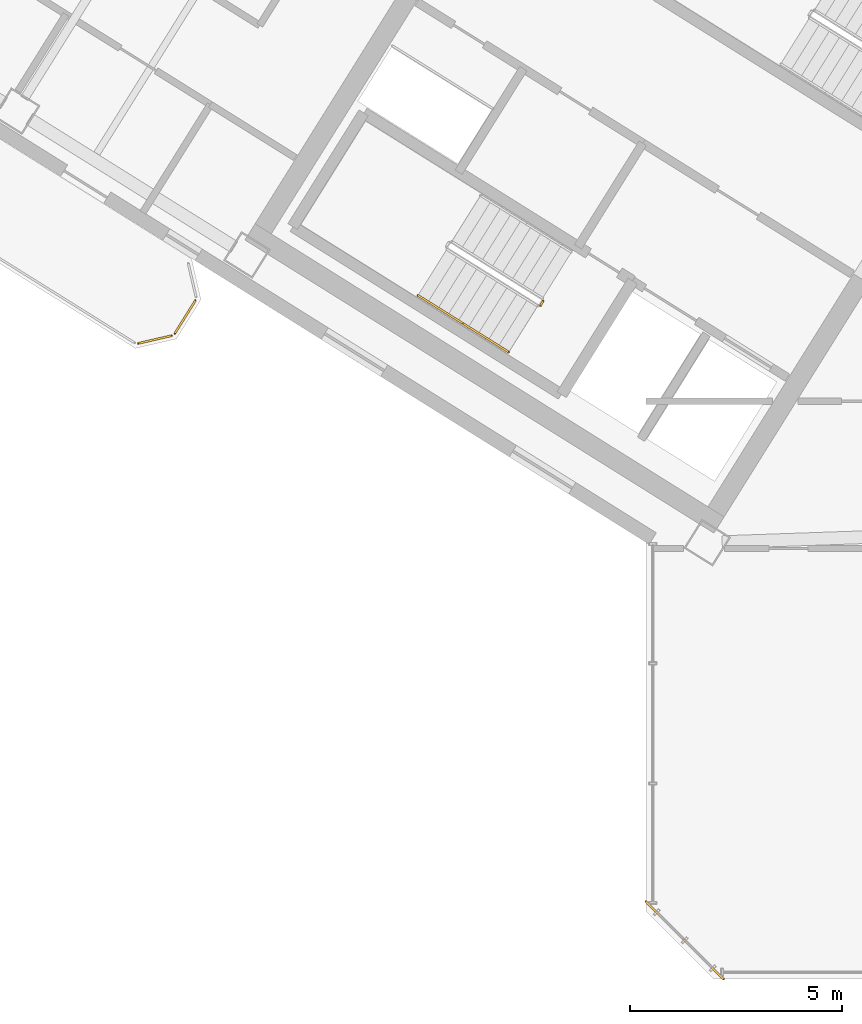
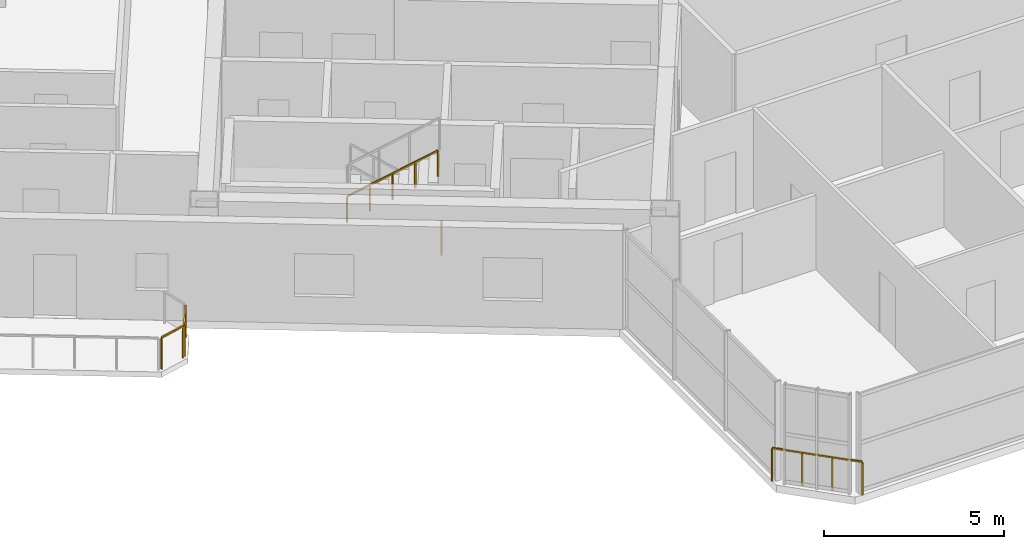
# One storey, part 17 of 20: 6 railings.
"""IFC4 building model written with IfcOpenShell, lengths in metres."""

from ifc_helpers import new_model, si_unit, direction, frame, origin, origin_2d, place, context, subcontext, project, spatial, rectangle, extrude, source, transform, mapped, material, type_object, element, save


model = new_model("IFC4")

# Units and contexts
model_context = context("Model", 3, precision=1e-05, world=origin(), true_north=direction((0.0, 1.0)))
body_context = subcontext(model_context, "Body", "Model", "MODEL_VIEW")
ifc_project = project(units=[si_unit("LENGTHUNIT", "METRE"), si_unit("AREAUNIT", "SQUARE_METRE"), si_unit("VOLUMEUNIT", "CUBIC_METRE"), si_unit("PLANEANGLEUNIT", "RADIAN"), si_unit("MASSUNIT", "GRAM", prefix="KILO")], contexts=[model_context])

# Site, building, storey
site_placement = place(None, origin())
site = spatial("IfcSite", under=ifc_project, at=site_placement, CompositionType="ELEMENT")
building_placement = place(site_placement, origin())
building = spatial("IfcBuilding", under=site, at=building_placement, Name="Tlacorven Tower", CompositionType="ELEMENT")
storey_placement = place(building_placement, frame((0.0, 0.0, 225.60009765625)))
storey = spatial("IfcBuildingStorey", under=building, at=storey_placement, Name="L57", CompositionType="ELEMENT", Elevation=225.60009765625)

# Railings
ifc_material = material(Name="Aluminium and painted steel balustrade", Category="steel")
railing_type_1 = type_object("IfcRailingType", Name="RL-BAL-1100", PredefinedType="BALUSTRADE", material=ifc_material)
shared_shape_1 = source(origin(), body_context, "Body", "SweptSolid", [
    extrude(rectangle(XDim=0.048095703125, YDim=0.048095703125, at=origin_2d()), frame((0.0, 0.0, 1.076171875), z_axis=(-0.52987865805, -0.848073468364, 0.0), x_axis=(0.848073468364, -0.52987865805, 0.0)), (0.0, 0.0, 1.0), 0.912353515625),
    extrude(rectangle(XDim=0.0419921875, YDim=0.0419921875, at=origin_2d()), origin(), (0.0, 0.0, 1.0), 1.052001953125),
    extrude(rectangle(XDim=0.0419921875, YDim=0.0419921875, at=origin_2d()), frame((-0.4833984375, -0.773681640625, 0.0)), (0.0, 0.0, 1.0), 1.052001953125),
])
railing_1_placement = place(storey_placement, frame((20.976318359375, 17.793701171875, 0.0)))
element("IfcRailing", 1, at=railing_1_placement, inside=storey, type_object=railing_type_1, Name="BAL-L57-W-OUT Guard Railing 2", PredefinedType="BALUSTRADE", context=body_context, shape_type="MappedRepresentation", body=[
    mapped(shared_shape_1, transform((0.0, 0.0, 0.0), scale=1.0)),
])
shared_shape_2 = source(origin(), body_context, "Body", "SweptSolid", [
    extrude(rectangle(XDim=0.048095703125, YDim=0.048095703125, at=origin_2d()), frame((0.0, 0.0, 1.076171875), z_axis=(-0.974345290916, -0.225058334816, 0.0), x_axis=(0.225058334816, -0.974345290916, 0.0)), (0.0, 0.0, 1.0), 0.80712890625),
    extrude(rectangle(XDim=0.0419921875, YDim=0.0419921875, at=origin_2d()), origin(), (0.0, 0.0, 1.0), 1.052001953125),
    extrude(rectangle(XDim=0.0419921875, YDim=0.0419921875, at=origin_2d()), frame((-0.786376953125, -0.181640625, 0.0)), (0.0, 0.0, 1.0), 1.052001953125),
])
railing_2_placement = place(storey_placement, frame((20.417724609375, 16.966552734375, 0.0)))
element("IfcRailing", 2, at=railing_2_placement, inside=storey, type_object=railing_type_1, Name="BAL-L57-W-OUT Guard Railing 3", PredefinedType="BALUSTRADE", context=body_context, shape_type="MappedRepresentation", body=[
    mapped(shared_shape_2, transform((0.0, 0.0, 0.0), scale=1.0)),
])
railing_type_2 = type_object("IfcRailingType", Name="RL-GRD-1150", PredefinedType="GUARDRAIL", material=ifc_material)
shared_shape_3 = source(origin(), body_context, "Body", "SweptSolid", [
    extrude(rectangle(XDim=0.048095703125, YDim=0.048095703125, at=origin_2d()), frame((0.0, 0.0, 1.1259765625), z_axis=(-0.707106781187, 0.707106781187, 0.0), x_axis=(-0.707106781187, -0.707106781187, 0.0)), (0.0, 0.0, 1.0), 2.590087890625),
    extrude(rectangle(XDim=0.0419921875, YDim=0.0419921875, at=origin_2d()), origin(), (0.0, 0.0, 1.0), 1.101806640625),
    extrude(rectangle(XDim=0.0419921875, YDim=0.0419921875, at=origin_2d()), frame((-0.610595703125, 0.610595703125, 0.0)), (0.0, 0.0, 1.0), 1.101806640625),
    extrude(rectangle(XDim=0.0419921875, YDim=0.0419921875, at=origin_2d()), frame((-1.220947265625, 1.220947265625, 0.0)), (0.0, 0.0, 1.0), 1.101806640625),
    extrude(rectangle(XDim=0.0419921875, YDim=0.0419921875, at=origin_2d()), frame((-1.83154296875, 1.83154296875, 0.0)), (0.0, 0.0, 1.0), 1.101806640625),
])
railing_3_placement = place(storey_placement, frame((33.428955078125, 1.79736328125, 0.0)))
element("IfcRailing", 3, at=railing_3_placement, inside=storey, type_object=railing_type_2, Name="L57 Knuckle Glazed Sill Guard 1", PredefinedType="GUARDRAIL", context=body_context, shape_type="MappedRepresentation", body=[
    mapped(shared_shape_3, transform((0.0, 0.0, 0.0), scale=1.0)),
])
railing_type_3 = type_object("IfcRailingType", Name="RL-GRD-1100", PredefinedType="GUARDRAIL", material=ifc_material)
shared_shape_4 = source(origin(), body_context, "Body", "SweptSolid", [
    extrude(rectangle(XDim=0.048095703125, YDim=0.048095703125, at=origin_2d()), frame((0.0, 0.0, 1.076171875), z_axis=(-0.529084052582, -0.848569422795, 0.0), x_axis=(0.848569422795, -0.529084052582, 0.0)), (0.0, 0.0, 1.0), 0.119873046875),
    extrude(rectangle(XDim=0.0419921875, YDim=0.0419921875, at=origin_2d()), origin(), (0.0, 0.0, 1.0), 1.052001953125),
    extrude(rectangle(XDim=0.0419921875, YDim=0.0419921875, at=origin_2d()), frame((-0.0634765625, -0.101806640625, 0.0)), (0.0, 0.0, 1.0), 1.052001953125),
])
railing_4_placement = place(storey_placement, frame((29.176513671875, 17.782958984375, 0.0)))
element("IfcRailing", 4, at=railing_4_placement, inside=storey, type_object=railing_type_3, Name="L57 ST-W1 stair guard 4", PredefinedType="GUARDRAIL", context=body_context, shape_type="MappedRepresentation", body=[
    mapped(shared_shape_4, transform((0.0, 0.0, 0.0), scale=1.0)),
])
railing_type_4 = type_object("IfcRailingType", Name="RL-HND-0900", PredefinedType="HANDRAIL", material=ifc_material)
shared_shape_5 = source(origin(), body_context, "Body", "SweptSolid", [
    extrude(rectangle(XDim=0.048095703125, YDim=0.048095703125, at=origin_2d()), frame((0.0, 0.0, 0.8759765625), z_axis=(0.713279695859, -0.445799809912, 0.540827703579), x_axis=(0.529998940003, 0.847998304005, 0.0)), (0.0, 0.0, 1.0), 1.497802734375),
    extrude(rectangle(XDim=0.0419921875, YDim=0.0419921875, at=origin_2d()), origin(), (0.0, 0.0, 1.0), 0.851806640625),
    extrude(rectangle(XDim=0.0419921875, YDim=0.0419921875, at=origin_2d()), frame((0.5341796875, -0.333984375, 0.405029296875)), (0.0, 0.0, 1.0), 0.851806640625),
    extrude(rectangle(XDim=0.0419921875, YDim=0.0419921875, at=origin_2d()), frame((1.068359375, -0.667724609375, 0.81005859375)), (0.0, 0.0, 1.0), 0.851806640625),
])
railing_5_placement = place(storey_placement, frame((27.29736328125, 17.24755859375, 2.789794921875)))
element("IfcRailing", 5, at=railing_5_placement, inside=storey, type_object=railing_type_4, Name="L57 ST-W1 stair handrail 4", PredefinedType="HANDRAIL", context=body_context, shape_type="MappedRepresentation", body=[
    mapped(shared_shape_5, transform((0.0, 0.0, 0.0), scale=1.0)),
])
shared_shape_6 = source(origin(), body_context, "Body", "SweptSolid", [
    extrude(rectangle(XDim=0.048095703125, YDim=0.048095703125, at=origin_2d()), frame((0.0, 0.0, 0.8759765625), z_axis=(0.713422621445, -0.445787267455, 0.540649494022), x_axis=(0.529911857636, 0.848052724267, 0.0)), (0.0, 0.0, 1.0), 1.497802734375),
    extrude(rectangle(XDim=0.0419921875, YDim=0.0419921875, at=origin_2d()), origin(), (0.0, 0.0, 1.0), 0.851806640625),
    extrude(rectangle(XDim=0.0419921875, YDim=0.0419921875, at=origin_2d()), frame((0.5341796875, -0.333984375, 0.40478515625)), (0.0, 0.0, 1.0), 0.851806640625),
    extrude(rectangle(XDim=0.0419921875, YDim=0.0419921875, at=origin_2d()), frame((1.068603515625, -0.667724609375, 0.809814453125)), (0.0, 0.0, 1.0), 0.851806640625),
])
railing_6_placement = place(storey_placement, frame((26.228759765625, 17.915283203125, 1.97998046875)))
element("IfcRailing", 6, at=railing_6_placement, inside=storey, type_object=railing_type_4, Name="L57 ST-W1 stair handrail 3", PredefinedType="HANDRAIL", context=body_context, shape_type="MappedRepresentation", body=[
    mapped(shared_shape_6, transform((0.0, 0.0, 0.0), scale=1.0)),
])

save(model, "model.ifc")
